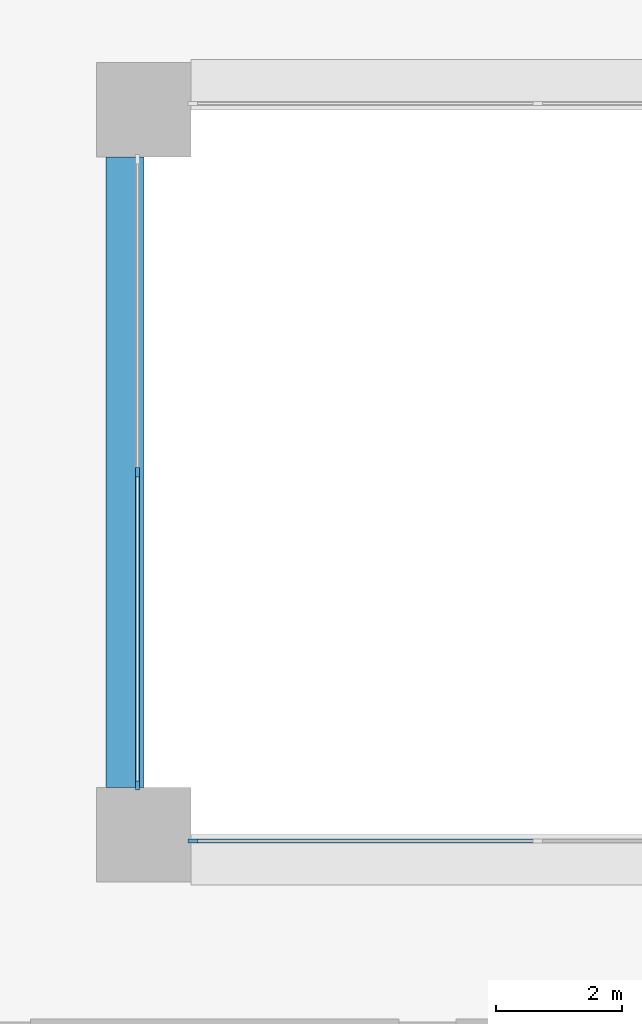
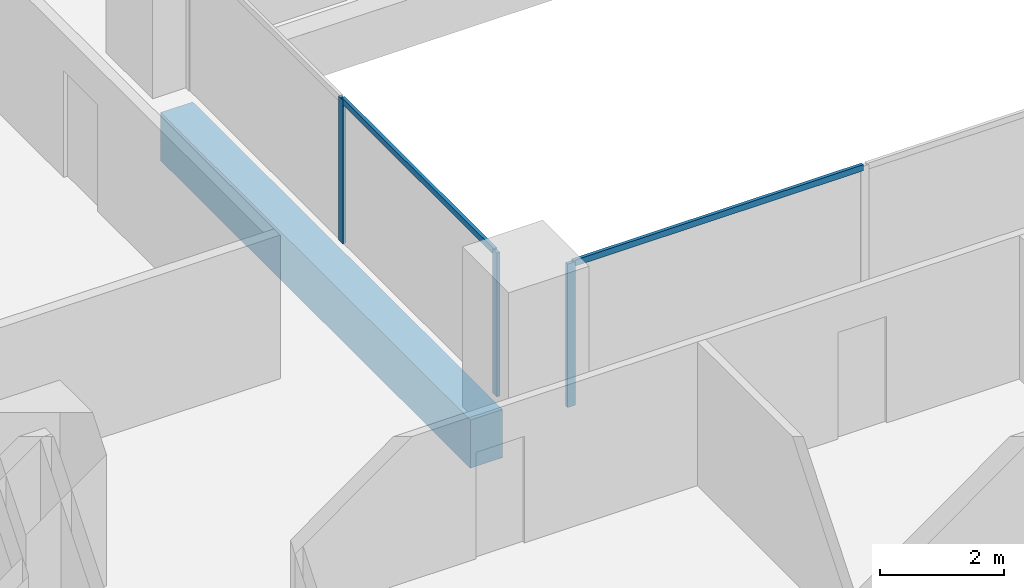
# One storey, part 2 of 19: 5 members, 1 beam, 2 elements without a shape of their own.
"""IFC4 building model written with IfcOpenShell, lengths in metres."""

from ifc_helpers import new_model, si_unit, direction, frame, origin, origin_2d, place, context, subcontext, project, spatial, rectangle, extrude, material, layer, layer_set, material_profile, profile_set, type_object, element, aggregate, save


model = new_model("IFC4")

# Units and contexts
model_context = context("Model", 3, precision=1e-05, world=origin(), true_north=direction((0.0, 1.0)))
body_context = subcontext(model_context, "Body", "Model", "MODEL_VIEW")
ifc_project = project(units=[si_unit("LENGTHUNIT", "METRE"), si_unit("AREAUNIT", "SQUARE_METRE"), si_unit("VOLUMEUNIT", "CUBIC_METRE"), si_unit("PLANEANGLEUNIT", "RADIAN"), si_unit("MASSUNIT", "GRAM", prefix="KILO")], contexts=[model_context])

# Site, building, storey
site_placement = place(None, origin())
site = spatial("IfcSite", under=ifc_project, at=site_placement, CompositionType="ELEMENT")
building_placement = place(site_placement, origin())
building = spatial("IfcBuilding", under=site, at=building_placement, Name="Brigalow Station Residences", CompositionType="ELEMENT")
storey_placement = place(building_placement, frame((0.0, 0.0, 32.10009765625)))
storey = spatial("IfcBuildingStorey", under=building, at=storey_placement, Name="L08", CompositionType="ELEMENT", Elevation=32.10009765625)

# Beam
ifc_material_1 = material(Name="Concrete C65", Category="concrete")
ifc_material_profile_1 = material_profile(ifc_material_1, rectangle(XDim=0.60009765625, YDim=0.949951171875, at=origin_2d()), Name="RC600x950")
ifc_profile_set_1 = profile_set([ifc_material_profile_1], Name="Concrete C65")
beam_type = type_object("IfcBeamType", Name="ATRIUM EDGE GIRDER 600x950 C65", PredefinedType="BEAM", material=ifc_profile_set_1)
beam_placement = place(storey_placement, frame((26.699951171875, 24.75, -0.795166015625), z_axis=(0.0, 1.0, 0.0), x_axis=(-1.0, 0.0, 0.0)))
element("IfcBeam", 1, at=beam_placement, inside=storey, type_object=beam_type, Name="ATRIUM EDGE GIRDER 3 L08", PredefinedType="BEAM", context=body_context, shape_type="SweptSolid", body=[
    extrude(rectangle(XDim=0.60009765625, YDim=0.949951171875, at=origin_2d()), origin(), (0.0, 0.0, 1.0), 10.0),
])

# Curtain wall, member
ifc_material_2 = material(Name="Aluminium", Category="aluminium")
ifc_layer = layer(ifc_material_2, 0.14990234375)
ifc_layer_set = layer_set([ifc_layer], Name="ATRIUM FIRE-RATED GLAZING CURTAIN WALL")
curtain_wall_type = type_object("IfcCurtainWallType", Name="ATRIUM FIRE-RATED GLAZING CURTAIN WALL", PredefinedType="NOTDEFINED", material=ifc_layer_set)
curtain_wall_1_placement = place(storey_placement, origin())
curtain_wall_1 = element("IfcCurtainWall", 2, at=curtain_wall_1_placement, inside=storey, type_object=curtain_wall_type, Name="L08/cw/atrium-S", PredefinedType="NOTDEFINED")
ifc_material_3 = material(Name="Aluminium", Category="aluminium")
ifc_material_profile_2 = material_profile(ifc_material_3, rectangle(XDim=0.06005859375, YDim=0.14990234375, at=origin_2d()), Name="ATRIUM FIRE-RATED GLAZING MULLION 60x150")
ifc_profile_set_2 = profile_set([ifc_material_profile_2], Name="Aluminium")
member_type_1 = type_object("IfcMemberType", Name="ATRIUM FIRE-RATED GLAZING MULLION 60x150", PredefinedType="MULLION", material=ifc_profile_set_2)
member_1_placement = place(storey_placement, frame((27.780029296875, 23.89990234375, 0.0), z_axis=(0.0, 0.0, 1.0), x_axis=(0.0, 1.0, 0.0)))
member_1 = element("IfcMember", 3, at=member_1_placement, type_object=member_type_1, Name="L08/cw/atrium-S/M00", PredefinedType="MULLION", context=body_context, shape_type="SweptSolid", body=[
    extrude(rectangle(XDim=0.06005859375, YDim=0.14990234375, at=origin_2d()), origin(), (0.0, 0.0, 1.0), 2.829833984375),
])

# Curtain wall, members
curtain_wall_2_placement = place(storey_placement, origin())
curtain_wall_2 = element("IfcCurtainWall", 4, at=curtain_wall_2_placement, inside=storey, type_object=curtain_wall_type, Name="L08/cw/atrium-W", PredefinedType="NOTDEFINED")
member_2_placement = place(storey_placement, frame((26.89990234375, 29.75, 0.0), z_axis=(0.0, 0.0, 1.0), x_axis=(1.0, 0.0, 0.0)))
member_2 = element("IfcMember", 5, at=member_2_placement, type_object=member_type_1, Name="L08/cw/atrium-W/M01", PredefinedType="MULLION", context=body_context, shape_type="SweptSolid", body=[
    extrude(rectangle(XDim=0.06005859375, YDim=0.14990234375, at=origin_2d()), origin(), (0.0, 0.0, 1.0), 2.829833984375),
])
member_3_placement = place(storey_placement, frame((26.89990234375, 24.780029296875, 0.0), z_axis=(0.0, 0.0, 1.0), x_axis=(1.0, 0.0, 0.0)))
member_3 = element("IfcMember", 6, at=member_3_placement, type_object=member_type_1, Name="L08/cw/atrium-W/M02", PredefinedType="MULLION", context=body_context, shape_type="SweptSolid", body=[
    extrude(rectangle(XDim=0.06005859375, YDim=0.14990234375, at=origin_2d()), origin(), (0.0, 0.0, 1.0), 2.829833984375),
])

# Member
ifc_material_4 = material(Name="Aluminium", Category="aluminium")
ifc_material_profile_3 = material_profile(ifc_material_4, rectangle(XDim=0.06005859375, YDim=0.1201171875, at=origin_2d()), Name="ATRIUM FIRE-RATED GLAZING TRANSOM 60x120")
ifc_profile_set_3 = profile_set([ifc_material_profile_3], Name="Aluminium")
member_type_2 = type_object("IfcMemberType", Name="ATRIUM FIRE-RATED GLAZING TRANSOM 60x120", PredefinedType="USERDEFINED", material=ifc_profile_set_3)
member_4_placement = place(storey_placement, frame((27.81005859375, 23.89990234375, 2.7998046875), z_axis=(1.0, 0.0, 0.0), x_axis=(0.0, 1.0, 0.0)))
member_4 = element("IfcMember", 7, at=member_4_placement, type_object=member_type_2, Name="L08/cw/atrium-S/T00-00", ObjectType="TRANSOM", PredefinedType="USERDEFINED", context=body_context, shape_type="SweptSolid", body=[
    extrude(rectangle(XDim=0.06005859375, YDim=0.1201171875, at=origin_2d()), origin(), (0.0, 0.0, 1.0), 5.409912109375),
])

aggregate(curtain_wall_1, [member_1, member_4])

member_5_placement = place(storey_placement, frame((26.89990234375, 29.719970703125, 2.7998046875), z_axis=(0.0, -1.0, 0.0), x_axis=(1.0, 0.0, 0.0)))
member_5 = element("IfcMember", 8, at=member_5_placement, type_object=member_type_2, Name="L08/cw/atrium-W/T01-00", ObjectType="TRANSOM", PredefinedType="USERDEFINED", context=body_context, shape_type="SweptSolid", body=[
    extrude(rectangle(XDim=0.06005859375, YDim=0.1201171875, at=origin_2d()), origin(), (0.0, 0.0, 1.0), 4.909912109375),
])

aggregate(curtain_wall_2, [member_2, member_3, member_5])

save(model, "model.ifc")
